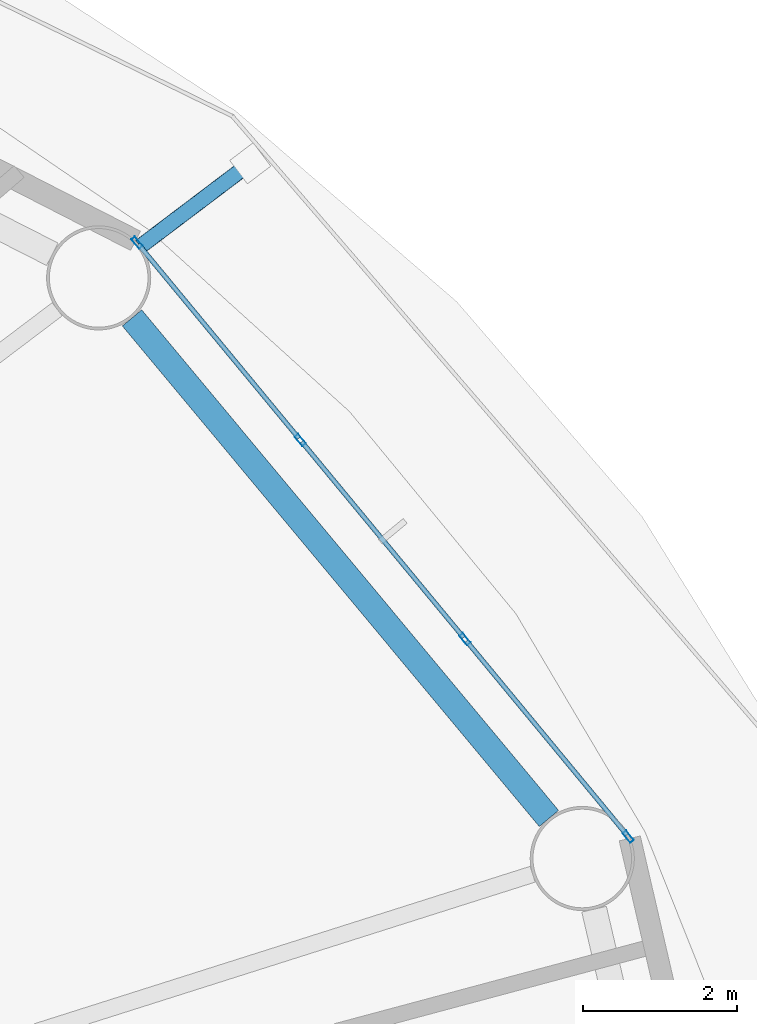
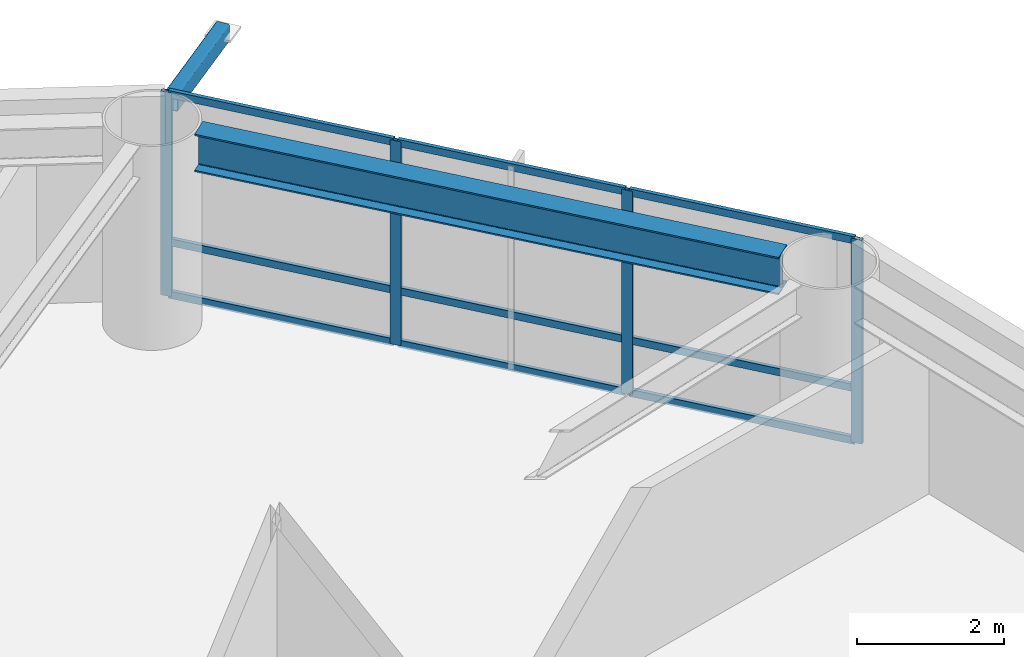
# One storey, part 14 of 26: 14 members, 1 beam, 1 element without a shape of its own.
"""IFC4 building model written with IfcOpenShell, lengths in metres."""

import ifcopenshell
import ifcopenshell.guid

model = None  # the IFC model being written
_history = None  # IfcOwnerHistory: only IFC2X3 demands one
_inside = {}  # id of a spatial element -> (the spatial element, [elements in it])
_under = {}  # id of a project, library or spatial element -> (it, [spatial elements below it])
_declared = {}  # id of a project -> (the project, [libraries it declares])
_typed = {}  # id of a type object -> (the type object, [elements of that type])
_made_of = {}  # id of a material, layer set ... -> (it, [elements and type objects made of it])


def new_model(schema):
    """Start an empty IFC model of exactly this schema.

    Asked for "IFC4X3", IfcOpenShell would pick the latest addendum, in which some entities
    have other attributes; the version numbers below select the first issue.
    IFC2X3 requires an IfcOwnerHistory on every rooted entity: one is made here for all.
    """
    global model, _history
    if schema == "IFC4X3":
        model = ifcopenshell.file(schema_version=(4, 3, 0, 0))
    else:
        model = ifcopenshell.file(schema=schema)
    _inside.clear()
    _under.clear()
    _declared.clear()
    _typed.clear()
    _made_of.clear()
    _history = None
    if model.schema == "IFC2X3":
        org = make("IfcOrganization", Name="unknown")
        user = make(
            "IfcPersonAndOrganization",
            ThePerson=make("IfcPerson", FamilyName="unknown"),
            TheOrganization=org,
        )
        app = make(
            "IfcApplication",
            ApplicationDeveloper=org,
            Version="unknown",
            ApplicationFullName="unknown",
            ApplicationIdentifier="unknown",
        )
        _history = make(
            "IfcOwnerHistory",
            OwningUser=user,
            OwningApplication=app,
            ChangeAction="ADDED",
            CreationDate=0,
        )
    return model


def make(cls, **values):
    """One entity of the class cls with the attributes given. An attribute that is None is left unset."""
    return model.create_entity(
        cls, **{name: value for name, value in values.items() if value is not None}
    )


def rooted(cls, **values):
    """An entity with a GlobalId (a new one), such as an element, a storey or a relation."""
    return make(cls, GlobalId=ifcopenshell.guid.new(), OwnerHistory=_history, **values)


def si_unit(unit_type, name, prefix=None):
    """IfcSIUnit, for example si_unit("LENGTHUNIT", "METRE", prefix="MILLI")."""
    return make("IfcSIUnit", UnitType=unit_type, Prefix=prefix, Name=name)


def assignment(units):
    """IfcUnitAssignment: the units of a project."""
    return None if units is None else make("IfcUnitAssignment", Units=units)


def point(xyz):
    """IfcCartesianPoint."""
    return None if xyz is None else make("IfcCartesianPoint", Coordinates=xyz)


def direction(xyz):
    """IfcDirection."""
    return None if xyz is None else make("IfcDirection", DirectionRatios=xyz)


def frame(location, z_axis=None, x_axis=None):
    """IfcAxis2Placement3D, a coordinate frame: its origin and axes. An axis left out is left unset."""
    return make(
        "IfcAxis2Placement3D",
        Location=point(location),
        Axis=direction(z_axis),
        RefDirection=direction(x_axis),
    )


def frame_2d(location, x_axis=None):
    """IfcAxis2Placement2D, a coordinate frame in the plane: its origin and x axis."""
    return make(
        "IfcAxis2Placement2D", Location=point(location), RefDirection=direction(x_axis)
    )


def origin():
    """The frame at (0, 0, 0) with its axes left unset."""
    return frame((0.0, 0.0, 0.0))


def origin_2d():
    """The frame at (0, 0) in the plane with its x axis left unset."""
    return frame_2d((0.0, 0.0))


def place(relative_to, where):
    """IfcLocalPlacement: puts the frame where relative to a parent placement (None: the world)."""
    return make(
        "IfcLocalPlacement", PlacementRelTo=relative_to, RelativePlacement=where
    )


def context(
    kind, dimensions, precision=None, world=None, true_north=None, identifier=None
):
    """IfcGeometricRepresentationContext, for example the 3D "Model" context."""
    return make(
        "IfcGeometricRepresentationContext",
        ContextIdentifier=identifier,
        ContextType=kind,
        CoordinateSpaceDimension=dimensions,
        Precision=precision,
        WorldCoordinateSystem=world,
        TrueNorth=true_north,
    )


def subcontext(parent, identifier, kind, view, scale=None):
    """IfcGeometricRepresentationSubContext, for example "Body" below "Model"."""
    return make(
        "IfcGeometricRepresentationSubContext",
        ContextIdentifier=identifier,
        ContextType=kind,
        ParentContext=parent,
        TargetScale=scale,
        TargetView=view,
    )


def project(units=None, contexts=None):
    """IfcProject with its units and contexts."""
    return rooted(
        "IfcProject",
        Name="project",
        RepresentationContexts=contexts,
        UnitsInContext=assignment(units),
    )


def spatial(cls, under=None, at=None, **own):
    """A site, building, storey or space (cls), placed at a placement, below another one or the project."""
    s = rooted(cls, ObjectPlacement=at, **own)
    if under is not None:
        _under.setdefault(under.id(), (under, []))[1].append(s)
    return s


def profile(cls, at=None, kind="AREA", **sizes):
    """A parametric profile (cls). Its sizes go by their IFC names, for example OverallWidth=200.0."""
    return make(cls, ProfileType=kind, Position=at, **sizes)


def hollow_rectangle(**sizes):
    """IfcRectangleHollowProfileDef."""
    return profile("IfcRectangleHollowProfileDef", **sizes)


def i_section(**sizes):
    """IfcIShapeProfileDef."""
    return profile("IfcIShapeProfileDef", **sizes)


def extrude(swept, where, along, depth):
    """IfcExtrudedAreaSolid: the profile swept, set in the frame where, extruded along a direction by depth."""
    return make(
        "IfcExtrudedAreaSolid",
        SweptArea=swept,
        Position=where,
        ExtrudedDirection=direction(along),
        Depth=depth,
    )


def shape(context_of_items, identifier, shape_type, items):
    """IfcShapeRepresentation: the items that make up one representation, for example the "Body"."""
    return make(
        "IfcShapeRepresentation",
        ContextOfItems=context_of_items,
        RepresentationIdentifier=identifier,
        RepresentationType=shape_type,
        Items=items,
    )


def material(Name=None, Category=None):
    """IfcMaterial."""
    return make("IfcMaterial", Name=Name, Category=Category)


def layer(
    of_material, thickness, ventilated=None, Name=None, Category=None, Priority=None
):
    """IfcMaterialLayer: one layer of a wall or slab, of a material (None: an air gap)."""
    return make(
        "IfcMaterialLayer",
        Material=of_material,
        LayerThickness=thickness,
        IsVentilated=ventilated,
        Name=Name,
        Category=Category,
        Priority=Priority,
    )


def layer_set(layers, Name=None):
    """IfcMaterialLayerSet."""
    return make("IfcMaterialLayerSet", MaterialLayers=layers, LayerSetName=Name)


def material_profile(
    of_material, cross_section, Name=None, Category=None, Priority=None
):
    """IfcMaterialProfile: a cross section and its material."""
    return make(
        "IfcMaterialProfile",
        Name=Name,
        Material=of_material,
        Profile=cross_section,
        Priority=Priority,
        Category=Category,
    )


def profile_set(profiles, Name=None, composite=None):
    """IfcMaterialProfileSet."""
    return make(
        "IfcMaterialProfileSet",
        Name=Name,
        MaterialProfiles=profiles,
        CompositeProfile=composite,
    )


def made_of(thing, what):
    """Note that an element or type object is made of a material, layer set ...; save() writes the relation."""
    if what is not None:
        _made_of.setdefault(what.id(), (what, []))[1].append(thing)
    return thing


def type_object(cls, material=None, **own):
    """A type object (cls), such as IfcWallType, which elements share."""
    return made_of(rooted(cls, **own), material)


def element(
    cls,
    number,
    at=None,
    inside=None,
    cuts=None,
    type_object=None,
    material=None,
    context=None,
    identifier="Body",
    shape_type=None,
    held_by="IfcProductDefinitionShape",
    body=None,
    shapes=None,
    **own,
):
    """One element of the class cls, such as IfcWall. Its Tag is "e" and its number.

    at: its placement. inside: the storey or other place that contains it. cuts: it is an
    opening in that element (IfcRelVoidsElement). A single representation is given by context,
    identifier, shape_type and body (its items); several are given by shapes. held_by: the class
    of the entity that holds the representations. save() writes the other relations.
    """
    e = rooted(cls, Tag="e%d" % number, ObjectPlacement=at, **own)
    if body is not None:
        shapes = [shape(context, identifier, shape_type, body)]
    if shapes is not None:
        e.Representation = make(held_by, Representations=shapes)
    if inside is not None:
        _inside.setdefault(inside.id(), (inside, []))[1].append(e)
    if cuts is not None:
        rooted(
            "IfcRelVoidsElement", RelatingBuildingElement=cuts, RelatedOpeningElement=e
        )
    if type_object is not None:
        _typed.setdefault(type_object.id(), (type_object, []))[1].append(e)
    return made_of(e, material)


def aggregate(whole, parts):
    """IfcRelAggregates: a whole, such as a stair, and the parts it consists of."""
    return rooted("IfcRelAggregates", RelatingObject=whole, RelatedObjects=parts)


def save(model, path):
    """Write the relations noted so far, then the file.

    IfcRelAggregates (storeys below a building ...), IfcRelContainedInSpatialStructure (elements
    in a storey), IfcRelDefinesByType, IfcRelAssociatesMaterial and IfcRelDeclares: one each for
    every whole, place, type object, material and project.
    """
    for whole, parts in _under.values():
        aggregate(whole, parts)
    for where, things in _inside.values():
        rooted(
            "IfcRelContainedInSpatialStructure",
            RelatedElements=things,
            RelatingStructure=where,
        )
    for kind, things in _typed.values():
        rooted("IfcRelDefinesByType", RelatedObjects=things, RelatingType=kind)
    for what, things in _made_of.values():
        rooted("IfcRelAssociatesMaterial", RelatedObjects=things, RelatingMaterial=what)
    for by, libraries in _declared.values():
        rooted("IfcRelDeclares", RelatingContext=by, RelatedDefinitions=libraries)
    model.write(path)


model = new_model("IFC4")

# Units and contexts
model_context = context("Model", 3, precision=1e-05, world=origin(), true_north=direction((0.0, 1.0)))
body_context = subcontext(model_context, "Body", "Model", "MODEL_VIEW")
ifc_project = project(units=[si_unit("LENGTHUNIT", "METRE"), si_unit("AREAUNIT", "SQUARE_METRE"), si_unit("VOLUMEUNIT", "CUBIC_METRE"), si_unit("PLANEANGLEUNIT", "RADIAN"), si_unit("MASSUNIT", "GRAM", prefix="KILO")], contexts=[model_context])

# Site, building, storey
site_placement = place(None, origin())
site = spatial("IfcSite", under=ifc_project, at=site_placement, CompositionType="ELEMENT")
building_placement = place(site_placement, origin())
building = spatial("IfcBuilding", under=site, at=building_placement, Name="Sarneth Arch Tower", CompositionType="ELEMENT")
storey_placement = place(building_placement, frame((0.0, 0.0, 39.0)))
storey = spatial("IfcBuildingStorey", under=building, at=storey_placement, Name="L08", CompositionType="ELEMENT", Elevation=39.0)

# Beam
ifc_material_1 = material(Name="Steel S355", Category="steel")
ifc_material_profile_1 = material_profile(ifc_material_1, i_section(OverallWidth=0.326904296875, OverallDepth=0.6220703125, WebThickness=0.015380859375, FlangeThickness=0.0244140625, FilletRadius=0.01904296875, at=origin_2d()), Name="W610x195")
ifc_profile_set_1 = profile_set([ifc_material_profile_1], Name="Steel S355")
beam_type = type_object("IfcBeamType", Name="BM-SPAN-610A", PredefinedType="SPANDREL", material=ifc_profile_set_1)
beam_placement = place(storey_placement, frame((75.533447265625, 51.39697265625, 3.069091796875), z_axis=(-0.639979646835, 0.768391860731, 0.0), x_axis=(-0.768391860731, -0.639979646835, 0.0)))
element("IfcBeam", 1, at=beam_placement, inside=storey, type_object=beam_type, Name="L08 Perimeter spandrel beam 02", PredefinedType="SPANDREL", context=body_context, shape_type="SweptSolid", body=[
    extrude(i_section(OverallWidth=0.326904296875, OverallDepth=0.6220703125, WebThickness=0.015380859375, FlangeThickness=0.0244140625, FilletRadius=0.01904296875, at=origin_2d()), origin(), (0.0, 0.0, 1.0), 8.4453125),
])

# Curtain wall, members
ifc_material_2 = material(Name="Anodised aluminium Type AA25 and solar-control low-e laminated IGU", Category="aluminium")
ifc_layer = layer(ifc_material_2, 0.159912109375)
ifc_layer_set = layer_set([ifc_layer], Name="Anodised aluminium Type AA25 and solar-control low-e laminated IGU")
curtain_wall_type = type_object("IfcCurtainWallType", Name="CW-HOTEL-LOW", PredefinedType="NOTDEFINED", material=ifc_layer_set)
curtain_wall_placement = place(storey_placement, origin())
curtain_wall = element("IfcCurtainWall", 2, at=curtain_wall_placement, inside=storey, type_object=curtain_wall_type, Name="L08 Unitised curtain wall facet 02", PredefinedType="NOTDEFINED")
ifc_material_3 = material(Name="Anodised Aluminium 6063-T6", Category="aluminium")
ifc_material_profile_2 = material_profile(ifc_material_3, hollow_rectangle(XDim=0.06005859375, YDim=0.159912109375, WallThickness=0.00390625, at=origin_2d()), Name="AL-MULL-160x60x4")
ifc_profile_set_2 = profile_set([ifc_material_profile_2], Name="Anodised Aluminium 6063-T6")
member_type_1 = type_object("IfcMemberType", Name="CW-MULLION", PredefinedType="MULLION", material=ifc_profile_set_2)
member_1_placement = place(storey_placement, frame((76.561767578125, 51.16162109375, 0.0), z_axis=(0.0, 0.0, 1.0), x_axis=(-0.770622960278, -0.637291340827, 0.0)))
member_1 = element("IfcMember", 3, at=member_1_placement, type_object=member_type_1, Name="CW-SYS-3 mullion 1", PredefinedType="MULLION", context=body_context, shape_type="SweptSolid", body=[
    extrude(hollow_rectangle(XDim=0.06005859375, YDim=0.159912109375, WallThickness=0.00390625, at=origin_2d()), origin(), (0.0, 0.0, 1.0), 3.3798828125),
])
member_2_placement = place(storey_placement, frame((74.4453125, 53.720947265625, 0.0), z_axis=(0.0, 0.0, 1.0), x_axis=(-0.770622960278, -0.637291340827, 0.0)))
member_2 = element("IfcMember", 4, at=member_2_placement, type_object=member_type_1, Name="CW-SYS-3 mullion 2", PredefinedType="MULLION", context=body_context, shape_type="SweptSolid", body=[
    extrude(hollow_rectangle(XDim=0.06005859375, YDim=0.159912109375, WallThickness=0.00390625, at=origin_2d()), origin(), (0.0, 0.0, 1.0), 3.3798828125),
])
member_3_placement = place(storey_placement, frame((72.309814453125, 56.30322265625, 0.0), z_axis=(0.0, 0.0, 1.0), x_axis=(-0.770622960278, -0.637291340827, 0.0)))
member_3 = element("IfcMember", 5, at=member_3_placement, type_object=member_type_1, Name="CW-SYS-3 mullion 3", PredefinedType="MULLION", context=body_context, shape_type="SweptSolid", body=[
    extrude(hollow_rectangle(XDim=0.06005859375, YDim=0.159912109375, WallThickness=0.00390625, at=origin_2d()), origin(), (0.0, 0.0, 1.0), 3.3798828125),
])
member_4_placement = place(storey_placement, frame((70.193359375, 58.862548828125, 0.0), z_axis=(0.0, 0.0, 1.0), x_axis=(-0.770622960278, -0.637291340827, 0.0)))
member_4 = element("IfcMember", 6, at=member_4_placement, type_object=member_type_1, Name="CW-SYS-3 mullion 4", PredefinedType="MULLION", context=body_context, shape_type="SweptSolid", body=[
    extrude(hollow_rectangle(XDim=0.06005859375, YDim=0.159912109375, WallThickness=0.00390625, at=origin_2d()), origin(), (0.0, 0.0, 1.0), 3.3798828125),
])
ifc_material_4 = material(Name="Anodised Aluminium 6063-T6", Category="aluminium")
ifc_material_profile_3 = material_profile(ifc_material_4, hollow_rectangle(XDim=0.06005859375, YDim=0.1201171875, WallThickness=0.00390625, at=origin_2d()), Name="AL-TRAN-120x60x4")
ifc_profile_set_3 = profile_set([ifc_material_profile_3], Name="Anodised Aluminium 6063-T6")
member_type_2 = type_object("IfcMemberType", Name="CW-TRANSOM", PredefinedType="USERDEFINED", material=ifc_profile_set_3)
member_5_placement = place(storey_placement, frame((76.542724609375, 51.184814453125, 0.030029296875), z_axis=(-0.63733019572, 0.77059082633, 0.0), x_axis=(-0.77059082633, -0.63733019572, 0.0)))
member_5 = element("IfcMember", 7, at=member_5_placement, type_object=member_type_2, Name="CW-SYS-3 transom 1.1", ObjectType="TRANSOM", PredefinedType="USERDEFINED", context=body_context, shape_type="SweptSolid", body=[
    extrude(hollow_rectangle(XDim=0.06005859375, YDim=0.1201171875, WallThickness=0.00390625, at=origin_2d()), origin(), (0.0, 0.0, 1.0), 3.260986328125),
])
member_6_placement = place(storey_placement, frame((76.542724609375, 51.184814453125, 0.89990234375), z_axis=(-0.63733019572, 0.77059082633, 0.0), x_axis=(-0.77059082633, -0.63733019572, 0.0)))
member_6 = element("IfcMember", 8, at=member_6_placement, type_object=member_type_2, Name="CW-SYS-3 transom 1.2", ObjectType="TRANSOM", PredefinedType="USERDEFINED", context=body_context, shape_type="SweptSolid", body=[
    extrude(hollow_rectangle(XDim=0.06005859375, YDim=0.1201171875, WallThickness=0.00390625, at=origin_2d()), origin(), (0.0, 0.0, 1.0), 3.260986328125),
])
member_7_placement = place(storey_placement, frame((76.542724609375, 51.184814453125, 3.35009765625), z_axis=(-0.63733019572, 0.77059082633, 0.0), x_axis=(-0.77059082633, -0.63733019572, 0.0)))
member_7 = element("IfcMember", 9, at=member_7_placement, type_object=member_type_2, Name="CW-SYS-3 transom 1.3", ObjectType="TRANSOM", PredefinedType="USERDEFINED", context=body_context, shape_type="SweptSolid", body=[
    extrude(hollow_rectangle(XDim=0.06005859375, YDim=0.1201171875, WallThickness=0.00390625, at=origin_2d()), origin(), (0.0, 0.0, 1.0), 3.260986328125),
])
member_8_placement = place(storey_placement, frame((74.42626953125, 53.743896484375, 0.030029296875), z_axis=(-0.637268595771, 0.770641769465, 0.0), x_axis=(-0.770641769465, -0.637268595771, 0.0)))
member_8 = element("IfcMember", 10, at=member_8_placement, type_object=member_type_2, Name="CW-SYS-3 transom 2.1", ObjectType="TRANSOM", PredefinedType="USERDEFINED", context=body_context, shape_type="SweptSolid", body=[
    extrude(hollow_rectangle(XDim=0.06005859375, YDim=0.1201171875, WallThickness=0.00390625, at=origin_2d()), origin(), (0.0, 0.0, 1.0), 3.291259765625),
])
member_9_placement = place(storey_placement, frame((74.42626953125, 53.743896484375, 0.89990234375), z_axis=(-0.637268595771, 0.770641769465, 0.0), x_axis=(-0.770641769465, -0.637268595771, 0.0)))
member_9 = element("IfcMember", 11, at=member_9_placement, type_object=member_type_2, Name="CW-SYS-3 transom 2.2", ObjectType="TRANSOM", PredefinedType="USERDEFINED", context=body_context, shape_type="SweptSolid", body=[
    extrude(hollow_rectangle(XDim=0.06005859375, YDim=0.1201171875, WallThickness=0.00390625, at=origin_2d()), origin(), (0.0, 0.0, 1.0), 3.291259765625),
])
member_10_placement = place(storey_placement, frame((74.42626953125, 53.743896484375, 3.35009765625), z_axis=(-0.637268595771, 0.770641769465, 0.0), x_axis=(-0.770641769465, -0.637268595771, 0.0)))
member_10 = element("IfcMember", 12, at=member_10_placement, type_object=member_type_2, Name="CW-SYS-3 transom 2.3", ObjectType="TRANSOM", PredefinedType="USERDEFINED", context=body_context, shape_type="SweptSolid", body=[
    extrude(hollow_rectangle(XDim=0.06005859375, YDim=0.1201171875, WallThickness=0.00390625, at=origin_2d()), origin(), (0.0, 0.0, 1.0), 3.291259765625),
])
member_11_placement = place(storey_placement, frame((72.29052734375, 56.326416015625, 0.030029296875), z_axis=(-0.637285736625, 0.770627594817, 0.0), x_axis=(-0.770627594817, -0.637285736625, 0.0)))
member_11 = element("IfcMember", 13, at=member_11_placement, type_object=member_type_2, Name="CW-SYS-3 transom 3.1", ObjectType="TRANSOM", PredefinedType="USERDEFINED", context=body_context, shape_type="SweptSolid", body=[
    extrude(hollow_rectangle(XDim=0.06005859375, YDim=0.1201171875, WallThickness=0.00390625, at=origin_2d()), origin(), (0.0, 0.0, 1.0), 3.260986328125),
])
member_12_placement = place(storey_placement, frame((72.29052734375, 56.326416015625, 0.89990234375), z_axis=(-0.637285736625, 0.770627594817, 0.0), x_axis=(-0.770627594817, -0.637285736625, 0.0)))
member_12 = element("IfcMember", 14, at=member_12_placement, type_object=member_type_2, Name="CW-SYS-3 transom 3.2", ObjectType="TRANSOM", PredefinedType="USERDEFINED", context=body_context, shape_type="SweptSolid", body=[
    extrude(hollow_rectangle(XDim=0.06005859375, YDim=0.1201171875, WallThickness=0.00390625, at=origin_2d()), origin(), (0.0, 0.0, 1.0), 3.260986328125),
])
member_13_placement = place(storey_placement, frame((72.29052734375, 56.326416015625, 3.35009765625), z_axis=(-0.637285736625, 0.770627594817, 0.0), x_axis=(-0.770627594817, -0.637285736625, 0.0)))
member_13 = element("IfcMember", 15, at=member_13_placement, type_object=member_type_2, Name="CW-SYS-3 transom 3.3", ObjectType="TRANSOM", PredefinedType="USERDEFINED", context=body_context, shape_type="SweptSolid", body=[
    extrude(hollow_rectangle(XDim=0.06005859375, YDim=0.1201171875, WallThickness=0.00390625, at=origin_2d()), origin(), (0.0, 0.0, 1.0), 3.260986328125),
])
aggregate(curtain_wall, [member_1, member_2, member_3, member_4, member_5, member_6, member_7, member_8, member_9, member_10, member_11, member_12, member_13])

# Member
ifc_material_5 = material(Name="Steel S355", Category="steel")
ifc_material_profile_4 = material_profile(ifc_material_5, hollow_rectangle(XDim=0.199951171875, YDim=0.300048828125, WallThickness=0.012451171875, InnerFilletRadius=0.018798828125, OuterFilletRadius=0.03125, at=origin_2d()), Name="RHS300x200x12.5")
ifc_profile_set_4 = profile_set([ifc_material_profile_4], Name="Steel S355")
member_type_3 = type_object("IfcMemberType", Name="MEM-CANT-STRUT", PredefinedType="STRUT", material=ifc_profile_set_4)
member_14_placement = place(storey_placement, frame((70.235107421875, 58.81201171875, 3.219970703125), z_axis=(0.797651322252, 0.603118867313, 0.0), x_axis=(-0.603118867313, 0.797651322252, 0.0)))
element("IfcMember", 16, at=member_14_placement, inside=storey, type_object=member_type_3, Name="L08 Balcony cantilever bracket 03", PredefinedType="STRUT", context=body_context, shape_type="SweptSolid", body=[
    extrude(hollow_rectangle(XDim=0.199951171875, YDim=0.300048828125, WallThickness=0.012451171875, InnerFilletRadius=0.018798828125, OuterFilletRadius=0.03125, at=origin_2d()), origin(), (0.0, 0.0, 1.0), 1.788330078125),
])

save(model, "model.ifc")
